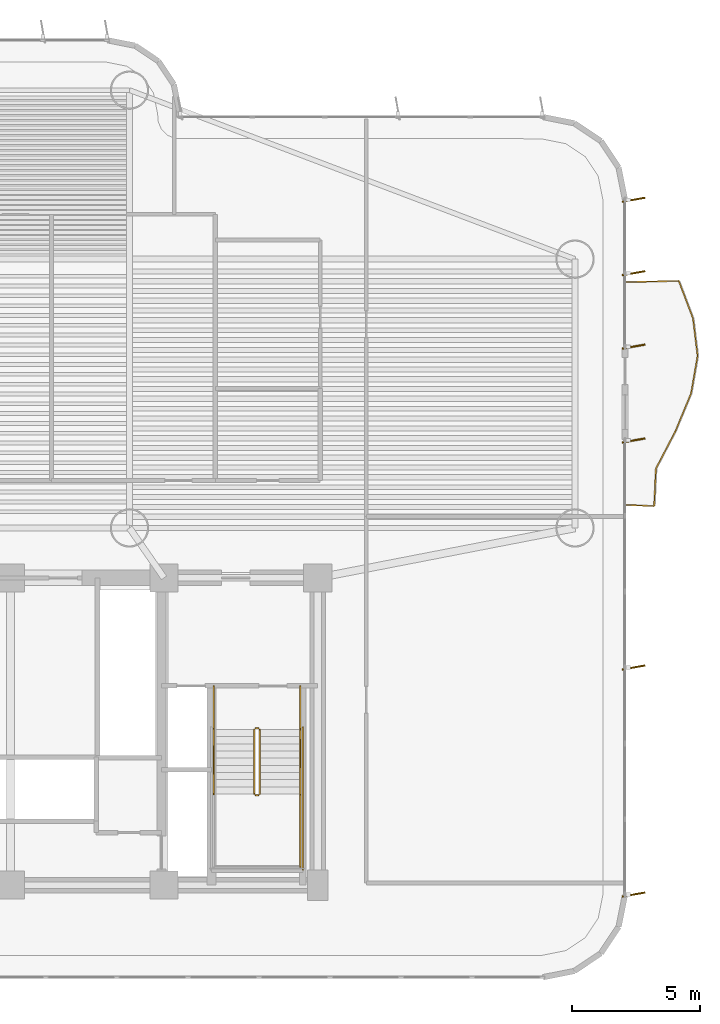
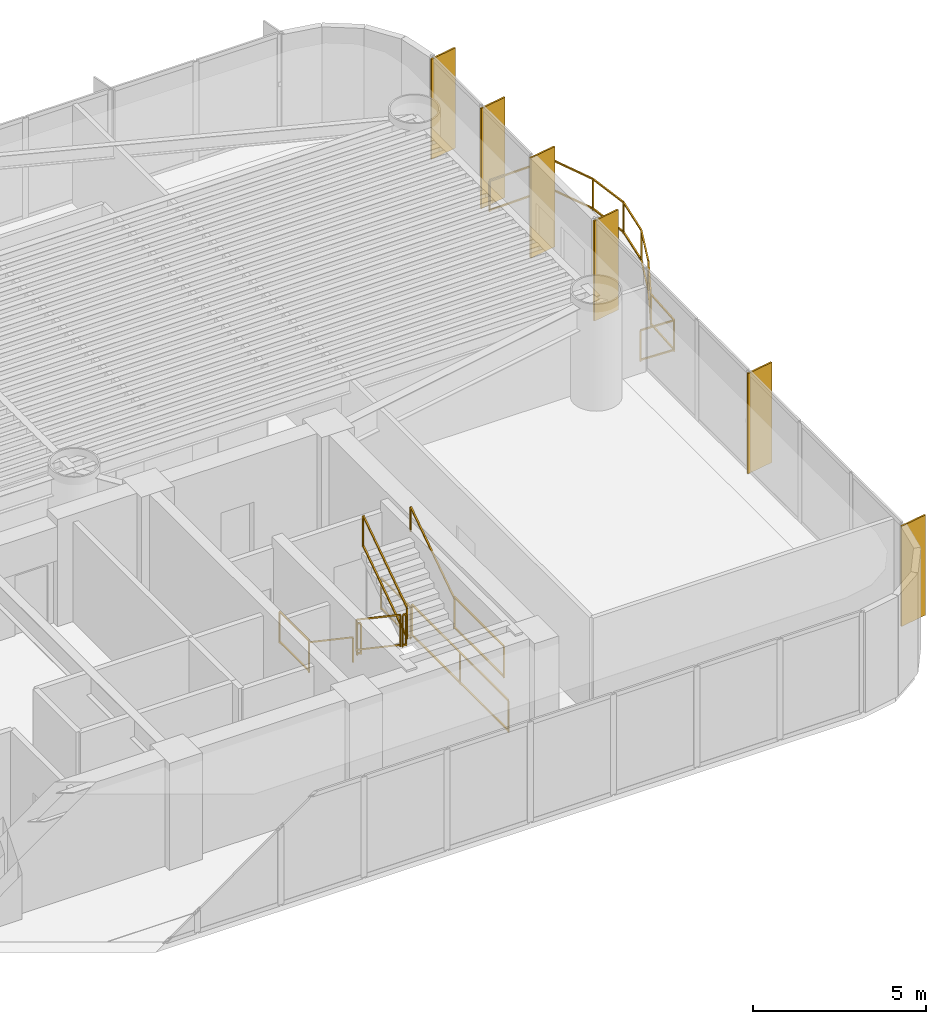
# One storey, part 15 of 16: 11 railings, 6 shading devices.
"""IFC4 building model written with IfcOpenShell, lengths in metres."""

from ifc_helpers import new_model, si_unit, direction, frame, origin, origin_2d, place, context, subcontext, project, spatial, rectangle, extrude, source, transform, mapped, material, layer, layer_set, material_profile, profile_set, type_object, element, save


model = new_model("IFC4")

# Units and contexts
model_context = context("Model", 3, precision=1e-05, world=origin(), true_north=direction((0.0, 1.0)))
body_context = subcontext(model_context, "Body", "Model", "MODEL_VIEW")
ifc_project = project(units=[si_unit("LENGTHUNIT", "METRE"), si_unit("AREAUNIT", "SQUARE_METRE"), si_unit("VOLUMEUNIT", "CUBIC_METRE"), si_unit("PLANEANGLEUNIT", "RADIAN"), si_unit("MASSUNIT", "GRAM", prefix="KILO")], contexts=[model_context])

# Site, building, storey
site_placement = place(None, origin())
site = spatial("IfcSite", under=ifc_project, at=site_placement, CompositionType="ELEMENT")
building_placement = place(site_placement, origin())
building = spatial("IfcBuilding", under=site, at=building_placement, Name="Brelvock Crest Care Tower", CompositionType="ELEMENT")
storey_placement = place(building_placement, frame((0.0, 0.0, 57.239990234375)))
storey = spatial("IfcBuildingStorey", under=building, at=storey_placement, Name="L14", CompositionType="ELEMENT", Elevation=57.239990234375)

# Railings
ifc_material_1 = material(Name="Dark Glass Double Glazed Low-E", Category="glass")
ifc_layer_1 = layer(ifc_material_1, 0.06005859375, Name="RL-BAL1")
ifc_layer_set_1 = layer_set([ifc_layer_1], Name="Dark Glass Double Glazed Low-E")
railing_type_1 = type_object("IfcRailingType", Name="RL-BAL1", PredefinedType="BALUSTRADE", material=ifc_layer_set_1)
railing_1_placement = place(storey_placement, frame((60.0400390625, 20.85009765625, 0.00390625)))
element("IfcRailing", 1, at=railing_1_placement, inside=storey, type_object=railing_type_1, Name="L14 Safety Balustrade WB-E", PredefinedType="BALUSTRADE", context=body_context, shape_type="SweptSolid", body=[
    extrude(rectangle(XDim=0.048095703125, YDim=0.048095703125, at=origin_2d()), frame((0.001953125, 0.0, 1.09619140625), z_axis=(0.998966252902, -0.045457953795, 0.0), x_axis=(0.045457953795, 0.998966252902, 0.0)), (0.0, 0.0, 1.0), 1.096923828125),
    extrude(rectangle(XDim=0.048095703125, YDim=0.048095703125, at=origin_2d()), frame((0.001953125, 0.0, 0.054931640625), z_axis=(0.998966252902, -0.045457953795, 0.0), x_axis=(0.045457953795, 0.998966252902, 0.0)), (0.0, 0.0, 1.0), 1.096923828125),
    extrude(rectangle(XDim=0.048095703125, YDim=0.048095703125, at=origin_2d()), frame((1.099853515625, -0.048095703125, 1.09619140625), z_axis=(0.047225425177, 0.998884257167, 0.0), x_axis=(-0.998884257167, 0.047225425177, 0.0)), (0.0, 0.0, 1.0), 1.464111328125),
    extrude(rectangle(XDim=0.048095703125, YDim=0.048095703125, at=origin_2d()), frame((1.099853515625, -0.048095703125, 0.054931640625), z_axis=(0.047225425177, 0.998884257167, 0.0), x_axis=(-0.998884257167, 0.047225425177, 0.0)), (0.0, 0.0, 1.0), 1.464111328125),
    extrude(rectangle(XDim=0.048095703125, YDim=0.048095703125, at=origin_2d()), frame((1.170166015625, 1.418212890625, 1.09619140625), z_axis=(0.462263335989, 0.8867426956, 0.0), x_axis=(-0.8867426956, 0.462263335989, 0.0)), (0.0, 0.0, 1.0), 1.650146484375),
    extrude(rectangle(XDim=0.048095703125, YDim=0.048095703125, at=origin_2d()), frame((1.170166015625, 1.418212890625, 0.054931640625), z_axis=(0.462263335989, 0.8867426956, 0.0), x_axis=(-0.8867426956, 0.462263335989, 0.0)), (0.0, 0.0, 1.0), 1.650146484375),
    extrude(rectangle(XDim=0.048095703125, YDim=0.048095703125, at=origin_2d()), frame((1.9345703125, 2.88525390625, 1.09619140625), z_axis=(0.383184627058, 0.923671771565, 0.0), x_axis=(-0.923671771565, 0.383184627058, 0.0)), (0.0, 0.0, 1.0), 1.583740234375),
    extrude(rectangle(XDim=0.048095703125, YDim=0.048095703125, at=origin_2d()), frame((1.9345703125, 2.88525390625, 0.054931640625), z_axis=(0.383184627058, 0.923671771565, 0.0), x_axis=(-0.923671771565, 0.383184627058, 0.0)), (0.0, 0.0, 1.0), 1.583740234375),
    extrude(rectangle(XDim=0.048095703125, YDim=0.048095703125, at=origin_2d()), frame((2.54248046875, 4.351806640625, 1.09619140625), z_axis=(0.171839377524, 0.985124981072, 0.0), x_axis=(-0.985124981072, 0.171839377524, 0.0)), (0.0, 0.0, 1.0), 1.48486328125),
    extrude(rectangle(XDim=0.048095703125, YDim=0.048095703125, at=origin_2d()), frame((2.54248046875, 4.351806640625, 0.054931640625), z_axis=(0.171839377524, 0.985124981072, 0.0), x_axis=(-0.985124981072, 0.171839377524, 0.0)), (0.0, 0.0, 1.0), 1.48486328125),
    extrude(rectangle(XDim=0.048095703125, YDim=0.048095703125, at=origin_2d()), frame((2.7978515625, 5.818603515625, 1.09619140625), z_axis=(-0.121125859225, 0.992637157388, 0.0), x_axis=(-0.992637157388, -0.121125859225, 0.0)), (0.0, 0.0, 1.0), 1.473388671875),
    extrude(rectangle(XDim=0.048095703125, YDim=0.048095703125, at=origin_2d()), frame((2.7978515625, 5.818603515625, 0.054931640625), z_axis=(-0.121125859225, 0.992637157388, 0.0), x_axis=(-0.992637157388, -0.121125859225, 0.0)), (0.0, 0.0, 1.0), 1.473388671875),
    extrude(rectangle(XDim=0.048095703125, YDim=0.048095703125, at=origin_2d()), frame((2.618408203125, 7.28515625, 1.09619140625), z_axis=(-0.354668308232, 0.93499218774, 0.0), x_axis=(-0.93499218774, -0.354668308232, 0.0)), (0.0, 0.0, 1.0), 1.564697265625),
    extrude(rectangle(XDim=0.048095703125, YDim=0.048095703125, at=origin_2d()), frame((2.618408203125, 7.28515625, 0.054931640625), z_axis=(-0.354668308232, 0.93499218774, 0.0), x_axis=(-0.93499218774, -0.354668308232, 0.0)), (0.0, 0.0, 1.0), 1.564697265625),
    extrude(rectangle(XDim=0.048095703125, YDim=0.048095703125, at=origin_2d()), frame((2.060791015625, 8.75, 1.09619140625), z_axis=(-0.999705777823, -0.024256087638, 0.0), x_axis=(0.024256087638, -0.999705777823, 0.0)), (0.0, 0.0, 1.0), 2.059326171875),
    extrude(rectangle(XDim=0.048095703125, YDim=0.048095703125, at=origin_2d()), frame((2.060791015625, 8.75, 0.054931640625), z_axis=(-0.999705777823, -0.024256087638, 0.0), x_axis=(0.024256087638, -0.999705777823, 0.0)), (0.0, 0.0, 1.0), 2.059326171875),
    extrude(rectangle(XDim=0.0419921875, YDim=0.0419921875, at=origin_2d()), origin(), (0.0, 0.0, 1.0), 1.070068359375),
    extrude(rectangle(XDim=0.0419921875, YDim=0.0419921875, at=origin_2d()), frame((1.099853515625, -0.050048828125, 0.0)), (0.0, 0.0, 1.0), 1.070068359375),
    extrude(rectangle(XDim=0.0419921875, YDim=0.0419921875, at=origin_2d()), frame((1.169189453125, 1.41650390625, 0.0)), (0.0, 0.0, 1.0), 1.070068359375),
    extrude(rectangle(XDim=0.0419921875, YDim=0.0419921875, at=origin_2d()), frame((1.933837890625, 2.88330078125, 0.0)), (0.0, 0.0, 1.0), 1.070068359375),
    extrude(rectangle(XDim=0.0419921875, YDim=0.0419921875, at=origin_2d()), frame((2.542236328125, 4.349853515625, 0.0)), (0.0, 0.0, 1.0), 1.070068359375),
    extrude(rectangle(XDim=0.0419921875, YDim=0.0419921875, at=origin_2d()), frame((2.798095703125, 5.816650390625, 0.0)), (0.0, 0.0, 1.0), 1.070068359375),
    extrude(rectangle(XDim=0.0419921875, YDim=0.0419921875, at=origin_2d()), frame((2.619140625, 7.283203125, 0.0)), (0.0, 0.0, 1.0), 1.070068359375),
    extrude(rectangle(XDim=0.0419921875, YDim=0.0419921875, at=origin_2d()), frame((2.062744140625, 8.75, 0.0)), (0.0, 0.0, 1.0), 1.070068359375),
    extrude(rectangle(XDim=0.0419921875, YDim=0.0419921875, at=origin_2d()), frame((0.0, 8.699951171875, 0.0)), (0.0, 0.0, 1.0), 1.070068359375),
])
ifc_material_2 = material(Name="Steel Grade 350", Category="steel")
ifc_layer_2 = layer(ifc_material_2, 0.050048828125, Name="RL-STG1")
ifc_layer_set_2 = layer_set([ifc_layer_2], Name="Steel Grade 350")
railing_type_2 = type_object("IfcRailingType", Name="RL-STG1", PredefinedType="GUARDRAIL", material=ifc_layer_set_2)
railing_2_placement = place(storey_placement, frame((45.52001953125, 12.080078125, 0.18896484375)))
element("IfcRailing", 2, at=railing_2_placement, inside=storey, type_object=railing_type_2, Name="L14 ST-2 stair guard 1", PredefinedType="GUARDRAIL", context=body_context, shape_type="SweptSolid", body=[
    extrude(rectangle(XDim=0.048095703125, YDim=0.048095703125, at=origin_2d()), frame((0.0, -0.001708984375, 1.116943359375), z_axis=(0.0, -0.828861706735, 0.559453546873), x_axis=(1.0, 0.0, 0.0)), (0.0, 0.0, 1.0), 3.036376953125),
    extrude(rectangle(XDim=0.048095703125, YDim=0.048095703125, at=origin_2d()), frame((0.0, -0.001708984375, 0.05615234375), z_axis=(0.0, -0.828861706735, 0.559453546873), x_axis=(1.0, 0.0, 0.0)), (0.0, 0.0, 1.0), 3.036376953125),
    extrude(rectangle(XDim=0.0419921875, YDim=0.0419921875, at=origin_2d()), origin(), (0.0, 0.0, 1.0), 1.08984375),
    extrude(rectangle(XDim=0.0419921875, YDim=0.0419921875, at=origin_2d()), frame((0.0, -2.52001953125, 1.700927734375)), (0.0, 0.0, 1.0), 1.08984375),
])
railing_3_placement = place(storey_placement, frame((45.570068359375, 9.510009765625, 1.889892578125)))
element("IfcRailing", 3, at=railing_3_placement, inside=storey, type_object=railing_type_2, Name="L14 ST-2 stair guard 2", PredefinedType="GUARDRAIL", context=body_context, shape_type="SweptSolid", body=[
    extrude(rectangle(XDim=0.048095703125, YDim=0.048095703125, at=origin_2d()), frame((0.001953125, 0.0, 1.11572265625), z_axis=(1.0, 0.0, 0.0), x_axis=(0.0, 1.0, 0.0)), (0.0, 0.0, 1.0), 0.115966796875),
    extrude(rectangle(XDim=0.048095703125, YDim=0.048095703125, at=origin_2d()), frame((0.001953125, 0.0, 0.054931640625), z_axis=(1.0, 0.0, 0.0), x_axis=(0.0, 1.0, 0.0)), (0.0, 0.0, 1.0), 0.115966796875),
    extrude(rectangle(XDim=0.0419921875, YDim=0.0419921875, at=origin_2d()), origin(), (0.0, 0.0, 1.0), 1.08984375),
    extrude(rectangle(XDim=0.0419921875, YDim=0.0419921875, at=origin_2d()), frame((0.119873046875, 0.0, 0.0)), (0.0, 0.0, 1.0), 1.08984375),
])
railing_4_placement = place(storey_placement, frame((47.320068359375, 9.56005859375, 1.889892578125)))
element("IfcRailing", 4, at=railing_4_placement, inside=storey, type_object=railing_type_2, Name="L14 ST-2 stair guard 4", PredefinedType="GUARDRAIL", context=body_context, shape_type="SweptSolid", body=[
    extrude(rectangle(XDim=0.048095703125, YDim=0.048095703125, at=origin_2d()), frame((0.0, -0.001953125, 1.11572265625), z_axis=(0.0, -1.0, 0.0), x_axis=(1.0, 0.0, 0.0)), (0.0, 0.0, 1.0), 2.856201171875),
    extrude(rectangle(XDim=0.048095703125, YDim=0.048095703125, at=origin_2d()), frame((0.0, -0.001953125, 0.054931640625), z_axis=(0.0, -1.0, 0.0), x_axis=(1.0, 0.0, 0.0)), (0.0, 0.0, 1.0), 2.856201171875),
    extrude(rectangle(XDim=0.0419921875, YDim=0.0419921875, at=origin_2d()), origin(), (0.0, 0.0, 1.0), 1.08984375),
    extrude(rectangle(XDim=0.0419921875, YDim=0.0419921875, at=origin_2d()), frame((0.0, -2.860107421875, 0.0)), (0.0, 0.0, 1.0), 1.08984375),
])
railing_5_placement = place(storey_placement, frame((45.739990234375, 9.56005859375, 2.0791015625)))
element("IfcRailing", 5, at=railing_5_placement, inside=storey, type_object=railing_type_2, Name="L14 ST-2 stair guard 6", PredefinedType="GUARDRAIL", context=body_context, shape_type="SweptSolid", body=[
    extrude(rectangle(XDim=0.048095703125, YDim=0.048095703125, at=origin_2d()), frame((0.0, 0.001708984375, 1.116943359375), z_axis=(0.0, 0.828861706735, 0.559453546873), x_axis=(-1.0, 0.0, 0.0)), (0.0, 0.0, 1.0), 3.036376953125),
    extrude(rectangle(XDim=0.048095703125, YDim=0.048095703125, at=origin_2d()), frame((0.0, 0.001708984375, 0.05615234375), z_axis=(0.0, 0.828861706735, 0.559453546873), x_axis=(-1.0, 0.0, 0.0)), (0.0, 0.0, 1.0), 3.036376953125),
    extrude(rectangle(XDim=0.0419921875, YDim=0.0419921875, at=origin_2d()), origin(), (0.0, 0.0, 1.0), 1.08984375),
    extrude(rectangle(XDim=0.0419921875, YDim=0.0419921875, at=origin_2d()), frame((0.0, 2.52001953125, 1.700927734375)), (0.0, 0.0, 1.0), 1.08984375),
])
railing_6_placement = place(storey_placement, frame((45.570068359375, 12.1298828125, 0.0)))
element("IfcRailing", 6, at=railing_6_placement, inside=storey, type_object=railing_type_2, Name="L14 ST-2 stair guard 7", PredefinedType="GUARDRAIL", context=body_context, shape_type="SweptSolid", body=[
    extrude(rectangle(XDim=0.048095703125, YDim=0.048095703125, at=origin_2d()), frame((0.001953125, 0.0, 1.11572265625), z_axis=(1.0, 0.0, 0.0), x_axis=(0.0, 1.0, 0.0)), (0.0, 0.0, 1.0), 0.115966796875),
    extrude(rectangle(XDim=0.048095703125, YDim=0.048095703125, at=origin_2d()), frame((0.001953125, 0.0, 0.054931640625), z_axis=(1.0, 0.0, 0.0), x_axis=(0.0, 1.0, 0.0)), (0.0, 0.0, 1.0), 0.115966796875),
    extrude(rectangle(XDim=0.0419921875, YDim=0.0419921875, at=origin_2d()), origin(), (0.0, 0.0, 1.0), 1.08984375),
    extrude(rectangle(XDim=0.0419921875, YDim=0.0419921875, at=origin_2d()), frame((0.119873046875, 0.0, 0.0)), (0.0, 0.0, 1.0), 1.08984375),
])
for number, where, name in (
    (7, (43.93994140625, 13.780029296875, 0.0), "L14 ST-2 stair guard 8"),
    (8, (47.320068359375, 13.780029296875, 0.0), "L14 ST-2 stair guard 9"),
):
    element("IfcRailing", number, at=place(storey_placement, frame(where)), inside=storey, type_object=railing_type_2, Name=name, PredefinedType="GUARDRAIL", context=body_context, shape_type="SweptSolid", body=[
        extrude(rectangle(XDim=0.048095703125, YDim=0.048095703125, at=origin_2d()), frame((0.0, -0.001953125, 1.11572265625), z_axis=(0.0, -1.0, 0.0), x_axis=(1.0, 0.0, 0.0)), (0.0, 0.0, 1.0), 1.696044921875),
        extrude(rectangle(XDim=0.048095703125, YDim=0.048095703125, at=origin_2d()), frame((0.0, -0.001953125, 0.054931640625), z_axis=(0.0, -1.0, 0.0), x_axis=(1.0, 0.0, 0.0)), (0.0, 0.0, 1.0), 1.696044921875),
        extrude(rectangle(XDim=0.0419921875, YDim=0.0419921875, at=origin_2d()), origin(), (0.0, 0.0, 1.0), 1.08984375),
        extrude(rectangle(XDim=0.0419921875, YDim=0.0419921875, at=origin_2d()), frame((0.0, -1.699951171875, 0.0)), (0.0, 0.0, 1.0), 1.08984375),
    ])
railing_7_placement = place(storey_placement, frame((47.419921875, 12.179931640625, 0.0)))
element("IfcRailing", 9, at=railing_7_placement, inside=storey, type_object=railing_type_2, Name="L14 ST-2 stair guard 11", PredefinedType="GUARDRAIL", context=body_context, shape_type="SweptSolid", body=[
    extrude(rectangle(XDim=0.048095703125, YDim=0.048095703125, at=origin_2d()), frame((0.0, -0.001953125, 1.11572265625), z_axis=(0.0, -1.0, 0.0), x_axis=(1.0, 0.0, 0.0)), (0.0, 0.0, 1.0), 5.575927734375),
    extrude(rectangle(XDim=0.048095703125, YDim=0.048095703125, at=origin_2d()), frame((0.0, -0.001953125, 0.054931640625), z_axis=(0.0, -1.0, 0.0), x_axis=(1.0, 0.0, 0.0)), (0.0, 0.0, 1.0), 5.575927734375),
    extrude(rectangle(XDim=0.0419921875, YDim=0.0419921875, at=origin_2d()), origin(), (0.0, 0.0, 1.0), 1.08984375),
    extrude(rectangle(XDim=0.0419921875, YDim=0.0419921875, at=origin_2d()), frame((0.0, -2.7900390625, 0.0)), (0.0, 0.0, 1.0), 1.08984375),
    extrude(rectangle(XDim=0.0419921875, YDim=0.0419921875, at=origin_2d()), frame((0.0, -5.579833984375, 0.0)), (0.0, 0.0, 1.0), 1.08984375),
])
ifc_layer_3 = layer(ifc_material_2, 0.048095703125, Name="RL-STH1")
ifc_layer_set_3 = layer_set([ifc_layer_3], Name="Steel Grade 350")
railing_type_3 = type_object("IfcRailingType", Name="RL-STH1", PredefinedType="HANDRAIL", material=ifc_layer_set_3)
railing_8_placement = place(storey_placement, frame((43.93994140625, 12.080078125, 0.18896484375)))
element("IfcRailing", 10, at=railing_8_placement, inside=storey, type_object=railing_type_3, Name="L14 ST-2 stair handrail 1", PredefinedType="HANDRAIL", context=body_context, shape_type="SweptSolid", body=[
    extrude(rectangle(XDim=0.048095703125, YDim=0.048095703125, at=origin_2d()), frame((0.0, -0.001708984375, 0.876953125), z_axis=(0.0, -0.828861706735, 0.559453546873), x_axis=(1.0, 0.0, 0.0)), (0.0, 0.0, 1.0), 3.036376953125),
    extrude(rectangle(XDim=0.0419921875, YDim=0.0419921875, at=origin_2d()), origin(), (0.0, 0.0, 1.0), 0.849853515625),
    extrude(rectangle(XDim=0.0419921875, YDim=0.0419921875, at=origin_2d()), frame((0.0, -2.52001953125, 1.700927734375)), (0.0, 0.0, 1.0), 0.849853515625),
])
railing_9_placement = place(storey_placement, frame((47.320068359375, 9.56005859375, 2.0791015625)))
element("IfcRailing", 11, at=railing_9_placement, inside=storey, type_object=railing_type_3, Name="L14 ST-2 stair handrail 2", PredefinedType="HANDRAIL", context=body_context, shape_type="SweptSolid", body=[
    extrude(rectangle(XDim=0.048095703125, YDim=0.048095703125, at=origin_2d()), frame((0.0, 0.001708984375, 0.876953125), z_axis=(0.0, 0.828861706735, 0.559453546873), x_axis=(-1.0, 0.0, 0.0)), (0.0, 0.0, 1.0), 3.036376953125),
    extrude(rectangle(XDim=0.0419921875, YDim=0.0419921875, at=origin_2d()), origin(), (0.0, 0.0, 1.0), 0.849853515625),
    extrude(rectangle(XDim=0.0419921875, YDim=0.0419921875, at=origin_2d()), frame((0.0, 2.52001953125, 1.700927734375)), (0.0, 0.0, 1.0), 0.849853515625),
])

# Shading devices
ifc_material_3 = material(Name="Aluminium 6063-T6", Category="aluminium")
ifc_material_profile = material_profile(ifc_material_3, rectangle(XDim=0.054931640625, YDim=0.89990234375, at=origin_2d()), Name="FIN55x900")
ifc_profile_set = profile_set([ifc_material_profile], Name="Aluminium 6063-T6")
shading_device_type = type_object("IfcShadingDeviceType", Name="SHD-FIN1", PredefinedType="USERDEFINED", material=ifc_profile_set)
shared_shape = source(origin(), body_context, "Body", "SweptSolid", [
    extrude(rectangle(XDim=0.054931640625, YDim=0.89990234375, at=origin_2d()), origin(), (0.0, 0.0, 1.0), 3.530029296875),
])
for number, where, z_axis, x_axis, name in (
    (12, (60.340087890625, 32.767578125, 0.0), (0.0, 0.0, 1.0), (0.173648177667, -0.984807753012, 0.0), "L14 Vertical Sunshade Fin E03A-01"),
    (13, (60.340087890625, 29.89990234375, 0.0), (0.0, 0.0, 1.0), (0.173648177667, -0.984807753012, 0.0), "L14 Vertical Sunshade Fin E03A-02"),
    (14, (60.340087890625, 27.032470703125, 0.0), (0.0, 0.0, 1.0), (0.173648177667, -0.984807753012, 0.0), "L14 Vertical Sunshade Fin E03A-03"),
    (15, (60.340087890625, 23.367431640625, 0.0), (0.0, 0.0, 1.0), (0.173648177667, -0.984807753012, 0.0), "L14 Vertical Sunshade Fin E03B-01"),
    (16, (60.340087890625, 14.5, 0.0), (0.0, 0.0, 1.0), (0.173648177667, -0.984807753012, 0.0), "L14 Vertical Sunshade Fin E03B-04"),
    (17, (60.340087890625, 5.632568359375, 0.0), (0.0, 0.0, 1.0), (0.173648177667, -0.984807753012, 0.0), "L14 Vertical Sunshade Fin E03B-07"),
):
    element("IfcShadingDevice", number, at=place(storey_placement, frame(where, z_axis=z_axis, x_axis=x_axis)), inside=storey, type_object=shading_device_type, Name=name, ObjectType="FIN", PredefinedType="USERDEFINED", context=body_context, shape_type="MappedRepresentation", body=[
        mapped(shared_shape, transform((0.0, 0.0, 0.0), x_axis=(1.0, 0.0, 0.0), y_axis=(0.0, 1.0, 0.0), z_axis=(0.0, 0.0, 1.0), scale=1.0)),
    ])

save(model, "model.ifc")
